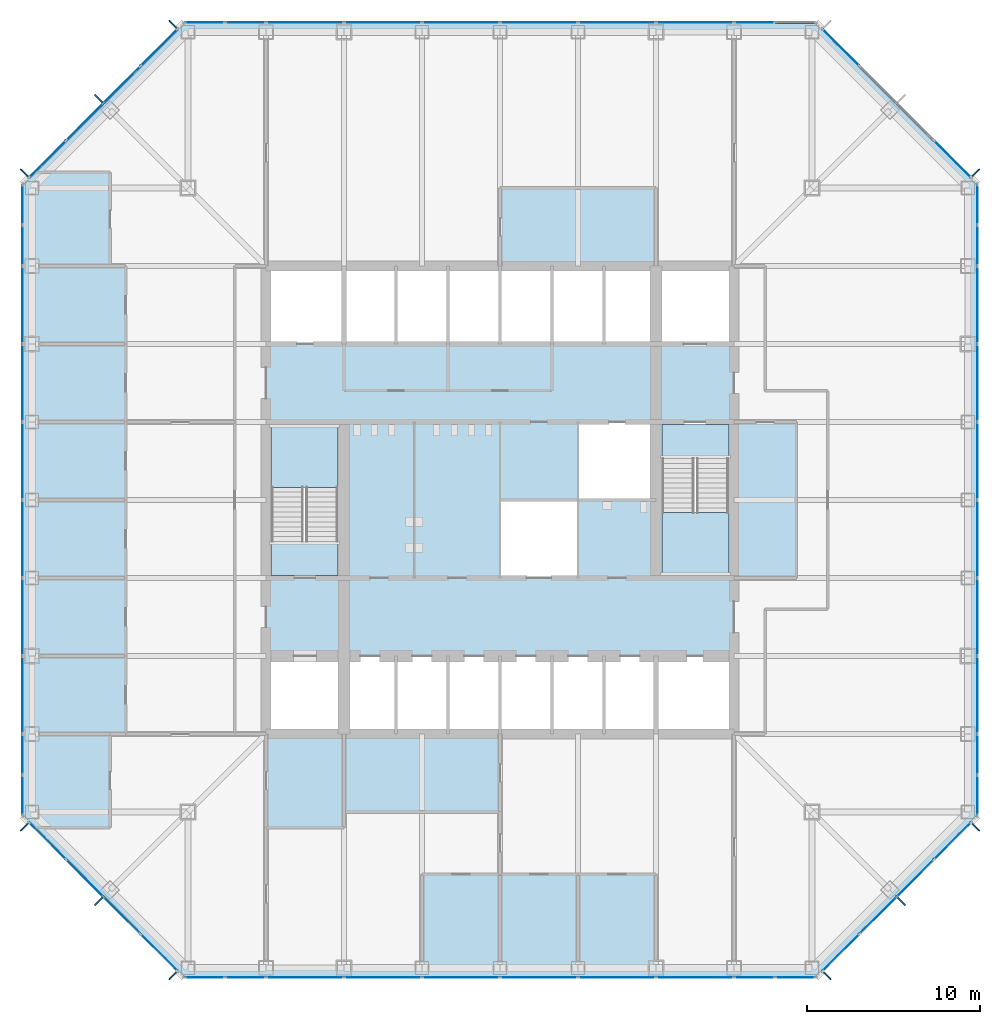
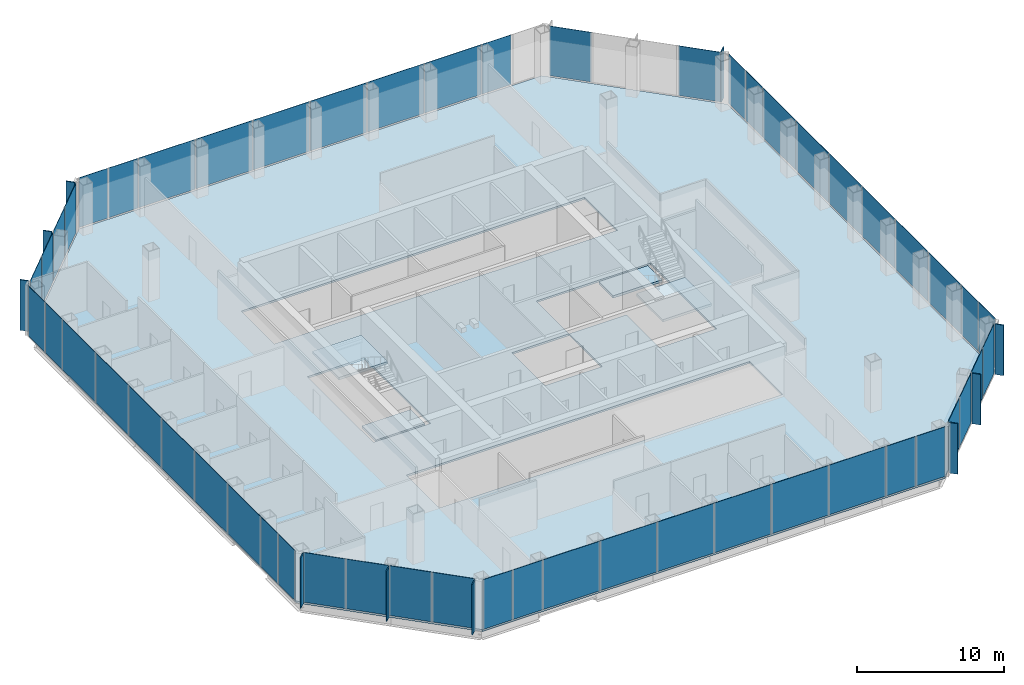
# One storey, part 7 of 13: 63 plates, 5 slabs, 10 elements without a shape of their own.
"""IFC4 building model written with IfcOpenShell, lengths in metres."""

from ifc_helpers import new_model, si_unit, direction, frame, origin, origin_2d, place, context, subcontext, project, spatial, polyline, rectangle, outline, extrude, material, layer, layer_set, type_object, element, aggregate, save


model = new_model("IFC4")

# Units and contexts
model_context = context("Model", 3, precision=1e-05, world=origin(), true_north=direction((0.0, 1.0)))
body_context = subcontext(model_context, "Body", "Model", "MODEL_VIEW")
ifc_project = project(units=[si_unit("LENGTHUNIT", "METRE"), si_unit("AREAUNIT", "SQUARE_METRE"), si_unit("VOLUMEUNIT", "CUBIC_METRE"), si_unit("PLANEANGLEUNIT", "RADIAN"), si_unit("MASSUNIT", "GRAM", prefix="KILO")], contexts=[model_context])

# Site, building, storey
site_placement = place(None, origin())
site = spatial("IfcSite", under=ifc_project, at=site_placement, CompositionType="ELEMENT")
building_placement = place(site_placement, origin())
building = spatial("IfcBuilding", under=site, at=building_placement, Name="Corais Broadcast Tower", CompositionType="ELEMENT")
storey_placement = place(building_placement, frame((0.0, 0.0, 87.800048828125)))
storey = spatial("IfcBuildingStorey", under=building, at=storey_placement, Name="L19", CompositionType="ELEMENT", Elevation=87.800048828125)

# Slab
ifc_material_1 = material(Name="Concrete C30/37", Category="concrete")
ifc_layer_1 = layer(ifc_material_1, 0.159912109375)
ifc_layer_set_1 = layer_set([ifc_layer_1], Name="Concrete C30/37")
slab_type_1 = type_object("IfcSlabType", Name="Composite floor slab 160", PredefinedType="FLOOR", material=ifc_layer_set_1)
slab_1_placement = place(storey_placement, frame((0.0, 0.0, -0.16015625)))
element("IfcSlab", 1, at=slab_1_placement, inside=storey, type_object=slab_type_1, Name="S160 floor slab L19", PredefinedType="FLOOR", context=body_context, shape_type="SweptSolid", body=[
    extrude(outline(polyline([(8.80126953125, -0.47998046875), (-0.47998046875, 8.80126953125), (-0.47998046875, 45.19873046875), (8.80126953125, 54.47998046875), (45.19873046875, 54.47998046875), (54.47998046875, 45.19873046875), (54.47998046875, 8.80126953125), (45.19873046875, -0.47998046875), (8.80126953125, -0.47998046875)]), holes=[polyline([(13.5, 18.0), (40.5, 18.0), (40.5, 13.5), (13.5, 13.5), (13.5, 18.0)]), polyline([(13.5, 22.5), (13.5, 31.5), (18.0, 31.5), (18.0, 22.5), (13.5, 22.5)]), polyline([(13.5, 40.5), (40.5, 40.5), (40.5, 36.0), (13.5, 36.0), (13.5, 40.5)]), polyline([(27.0, 22.5), (27.0, 27.0), (31.4951171875, 27.0), (31.4951171875, 27.0048828125), (31.5, 27.0048828125), (31.5, 31.5), (40.5, 31.5), (40.5, 22.5), (36.0, 22.5), (36.0, 27.0), (31.5048828125, 27.0), (31.5048828125, 26.9951171875), (31.5, 26.9951171875), (31.5, 22.5), (27.0, 22.5)])]), origin(), (0.0, 0.0, 1.0), 0.16015625),
])

# Curtain wall, plates
ifc_material_2 = material(Name="Aluminium and glass", Category="aluminium")
curtain_wall_type = type_object("IfcCurtainWallType", Name="Unitised fritted curtain wall CW1", PredefinedType="NOTDEFINED", material=ifc_material_2)
curtain_wall_1_placement = place(storey_placement, origin())
curtain_wall_1 = element("IfcCurtainWall", 2, at=curtain_wall_1_placement, inside=storey, type_object=curtain_wall_type, Name="CW1 curtain wall L19 1", PredefinedType="NOTDEFINED")
ifc_material_3 = material(Name="Ceramic-fritted laminated glass", Category="glass")
ifc_layer_2 = layer(ifc_material_3, 0.030029296875)
ifc_layer_set_2 = layer_set([ifc_layer_2], Name="Ceramic-fritted laminated glass")
plate_type_1 = type_object("IfcPlateType", Name="Fritted glass panel CW1", PredefinedType="CURTAIN_PANEL", material=ifc_layer_set_2)
plate_1_placement = place(storey_placement, frame((7.330322265625, 0.891845703125, 0.06494140625), z_axis=(0.0, 0.0, 1.0), x_axis=(-0.707106781187, 0.707106781187, 0.0)))
plate_1 = element("IfcPlate", 3, at=plate_1_placement, type_object=plate_type_1, Name="CW1 panel 1", PredefinedType="CURTAIN_PANEL", context=body_context, shape_type="SweptSolid", body=[
    extrude(rectangle(XDim=2.9482421875, YDim=0.030029296875, at=origin_2d()), origin(), (0.0, 0.0, 1.0), 4.135009765625),
])
plate_2_placement = place(storey_placement, frame((3.0341796875, 5.18798828125, 0.06494140625), z_axis=(0.0, 0.0, 1.0), x_axis=(-0.707106781187, 0.707106781187, 0.0)))
plate_2 = element("IfcPlate", 4, at=plate_2_placement, type_object=plate_type_1, Name="CW1 panel 3", PredefinedType="CURTAIN_PANEL", context=body_context, shape_type="SweptSolid", body=[
    extrude(rectangle(XDim=2.98095703125, YDim=0.030029296875, at=origin_2d()), origin(), (0.0, 0.0, 1.0), 4.135009765625),
])

curtain_wall_2_placement = place(storey_placement, origin())
curtain_wall_2 = element("IfcCurtainWall", 5, at=curtain_wall_2_placement, inside=storey, type_object=curtain_wall_type, Name="CW1 curtain wall L19 2", PredefinedType="NOTDEFINED")
plate_3_placement = place(storey_placement, frame((-0.550048828125, 9.970458984375, 0.06494140625), z_axis=(0.0, 0.0, 1.0), x_axis=(0.0, 1.0, 0.0)))
plate_3 = element("IfcPlate", 6, at=plate_3_placement, type_object=plate_type_1, Name="CW1 panel 1", PredefinedType="CURTAIN_PANEL", context=body_context, shape_type="SweptSolid", body=[
    extrude(rectangle(XDim=2.266357421875, YDim=0.030029296875, at=origin_2d()), origin(), (0.0, 0.0, 1.0), 4.135009765625),
])
plate_4_placement = place(storey_placement, frame((-0.550048828125, 15.75, 0.06494140625), z_axis=(0.0, 0.0, 1.0), x_axis=(0.0, 1.0, 0.0)))
plate_4 = element("IfcPlate", 7, at=plate_4_placement, type_object=plate_type_1, Name="CW1 panel 3", PredefinedType="CURTAIN_PANEL", context=body_context, shape_type="SweptSolid", body=[
    extrude(rectangle(XDim=4.43505859375, YDim=0.030029296875, at=origin_2d()), origin(), (0.0, 0.0, 1.0), 4.135009765625),
])
plate_5_placement = place(storey_placement, frame((-0.550048828125, 24.75, 0.06494140625), z_axis=(0.0, 0.0, 1.0), x_axis=(0.0, 1.0, 0.0)))
plate_5 = element("IfcPlate", 8, at=plate_5_placement, type_object=plate_type_1, Name="CW1 panel 5", PredefinedType="CURTAIN_PANEL", context=body_context, shape_type="SweptSolid", body=[
    extrude(rectangle(XDim=4.43505859375, YDim=0.030029296875, at=origin_2d()), origin(), (0.0, 0.0, 1.0), 4.135009765625),
])
plate_6_placement = place(storey_placement, frame((-0.550048828125, 33.75, 0.06494140625), z_axis=(0.0, 0.0, 1.0), x_axis=(0.0, 1.0, 0.0)))
plate_6 = element("IfcPlate", 9, at=plate_6_placement, type_object=plate_type_1, Name="CW1 panel 7", PredefinedType="CURTAIN_PANEL", context=body_context, shape_type="SweptSolid", body=[
    extrude(rectangle(XDim=4.43505859375, YDim=0.030029296875, at=origin_2d()), origin(), (0.0, 0.0, 1.0), 4.135009765625),
])
plate_7_placement = place(storey_placement, frame((-0.550048828125, 41.681884765625, 0.06494140625), z_axis=(0.0, 0.0, 1.0), x_axis=(0.0, 1.0, 0.0)))
plate_7 = element("IfcPlate", 10, at=plate_7_placement, type_object=plate_type_1, Name="CW1 panel 9", PredefinedType="CURTAIN_PANEL", context=body_context, shape_type="SweptSolid", body=[
    extrude(rectangle(XDim=2.298828125, YDim=0.030029296875, at=origin_2d()), origin(), (0.0, 0.0, 1.0), 4.135009765625),
])

curtain_wall_3_placement = place(storey_placement, origin())
curtain_wall_3 = element("IfcCurtainWall", 11, at=curtain_wall_3_placement, inside=storey, type_object=curtain_wall_type, Name="CW1 curtain wall L19 3", PredefinedType="NOTDEFINED")
plate_8_placement = place(storey_placement, frame((0.891845703125, 46.669677734375, 0.06494140625), z_axis=(0.0, 0.0, 1.0), x_axis=(0.707106781187, 0.707106781187, 0.0)))
plate_8 = element("IfcPlate", 12, at=plate_8_placement, type_object=plate_type_1, Name="CW1 panel 1", PredefinedType="CURTAIN_PANEL", context=body_context, shape_type="SweptSolid", body=[
    extrude(rectangle(XDim=2.9482421875, YDim=0.030029296875, at=origin_2d()), origin(), (0.0, 0.0, 1.0), 4.135009765625),
])
plate_9_placement = place(storey_placement, frame((5.18798828125, 50.9658203125, 0.06494140625), z_axis=(0.0, 0.0, 1.0), x_axis=(0.707106781187, 0.707106781187, 0.0)))
plate_9 = element("IfcPlate", 13, at=plate_9_placement, type_object=plate_type_1, Name="CW1 panel 3", PredefinedType="CURTAIN_PANEL", context=body_context, shape_type="SweptSolid", body=[
    extrude(rectangle(XDim=2.98095703125, YDim=0.030029296875, at=origin_2d()), origin(), (0.0, 0.0, 1.0), 4.135009765625),
])

curtain_wall_4_placement = place(storey_placement, origin())
curtain_wall_4 = element("IfcCurtainWall", 14, at=curtain_wall_4_placement, inside=storey, type_object=curtain_wall_type, Name="CW1 curtain wall L19 4", PredefinedType="NOTDEFINED")
plate_10_placement = place(storey_placement, frame((9.970458984375, 54.550048828125, 0.06494140625), z_axis=(0.0, 0.0, 1.0), x_axis=(1.0, 0.0, 0.0)))
plate_10 = element("IfcPlate", 15, at=plate_10_placement, type_object=plate_type_1, Name="CW1 panel 1", PredefinedType="CURTAIN_PANEL", context=body_context, shape_type="SweptSolid", body=[
    extrude(rectangle(XDim=2.266357421875, YDim=0.030029296875, at=origin_2d()), origin(), (0.0, 0.0, 1.0), 4.135009765625),
])
plate_11_placement = place(storey_placement, frame((15.75, 54.550048828125, 0.06494140625), z_axis=(0.0, 0.0, 1.0), x_axis=(1.0, 0.0, 0.0)))
plate_11 = element("IfcPlate", 16, at=plate_11_placement, type_object=plate_type_1, Name="CW1 panel 3", PredefinedType="CURTAIN_PANEL", context=body_context, shape_type="SweptSolid", body=[
    extrude(rectangle(XDim=4.43505859375, YDim=0.030029296875, at=origin_2d()), origin(), (0.0, 0.0, 1.0), 4.135009765625),
])
plate_12_placement = place(storey_placement, frame((24.75, 54.550048828125, 0.06494140625), z_axis=(0.0, 0.0, 1.0), x_axis=(1.0, 0.0, 0.0)))
plate_12 = element("IfcPlate", 17, at=plate_12_placement, type_object=plate_type_1, Name="CW1 panel 5", PredefinedType="CURTAIN_PANEL", context=body_context, shape_type="SweptSolid", body=[
    extrude(rectangle(XDim=4.43505859375, YDim=0.030029296875, at=origin_2d()), origin(), (0.0, 0.0, 1.0), 4.135009765625),
])
plate_13_placement = place(storey_placement, frame((33.75, 54.550048828125, 0.06494140625), z_axis=(0.0, 0.0, 1.0), x_axis=(1.0, 0.0, 0.0)))
plate_13 = element("IfcPlate", 18, at=plate_13_placement, type_object=plate_type_1, Name="CW1 panel 7", PredefinedType="CURTAIN_PANEL", context=body_context, shape_type="SweptSolid", body=[
    extrude(rectangle(XDim=4.43505859375, YDim=0.030029296875, at=origin_2d()), origin(), (0.0, 0.0, 1.0), 4.135009765625),
])
plate_14_placement = place(storey_placement, frame((41.681884765625, 54.550048828125, 0.06494140625), z_axis=(0.0, 0.0, 1.0), x_axis=(1.0, 0.0, 0.0)))
plate_14 = element("IfcPlate", 19, at=plate_14_placement, type_object=plate_type_1, Name="CW1 panel 9", PredefinedType="CURTAIN_PANEL", context=body_context, shape_type="SweptSolid", body=[
    extrude(rectangle(XDim=2.298828125, YDim=0.030029296875, at=origin_2d()), origin(), (0.0, 0.0, 1.0), 4.135009765625),
])

# Curtain wall, plate
curtain_wall_5_placement = place(storey_placement, origin())
curtain_wall_5 = element("IfcCurtainWall", 20, at=curtain_wall_5_placement, inside=storey, type_object=curtain_wall_type, Name="CW1 curtain wall L19 5", PredefinedType="NOTDEFINED")
plate_15_placement = place(storey_placement, frame((46.669677734375, 53.108154296875, 0.06494140625), z_axis=(0.0, 0.0, 1.0), x_axis=(0.707106781187, -0.707106781187, 0.0)))
plate_15 = element("IfcPlate", 21, at=plate_15_placement, type_object=plate_type_1, Name="CW1 panel 1", PredefinedType="CURTAIN_PANEL", context=body_context, shape_type="SweptSolid", body=[
    extrude(rectangle(XDim=2.9482421875, YDim=0.030029296875, at=origin_2d()), origin(), (0.0, 0.0, 1.0), 4.135009765625),
])

# Curtain wall, plates
curtain_wall_6_placement = place(storey_placement, origin())
curtain_wall_6 = element("IfcCurtainWall", 22, at=curtain_wall_6_placement, inside=storey, type_object=curtain_wall_type, Name="CW1 curtain wall L19 6", PredefinedType="NOTDEFINED")
plate_16_placement = place(storey_placement, frame((54.550048828125, 44.029541015625, 0.06494140625), z_axis=(0.0, 0.0, 1.0), x_axis=(0.0, -1.0, 0.0)))
plate_16 = element("IfcPlate", 23, at=plate_16_placement, type_object=plate_type_1, Name="CW1 panel 1", PredefinedType="CURTAIN_PANEL", context=body_context, shape_type="SweptSolid", body=[
    extrude(rectangle(XDim=2.266357421875, YDim=0.030029296875, at=origin_2d()), origin(), (0.0, 0.0, 1.0), 4.135009765625),
])
plate_17_placement = place(storey_placement, frame((54.550048828125, 38.25, 0.06494140625), z_axis=(0.0, 0.0, 1.0), x_axis=(0.0, -1.0, 0.0)))
plate_17 = element("IfcPlate", 24, at=plate_17_placement, type_object=plate_type_1, Name="CW1 panel 3", PredefinedType="CURTAIN_PANEL", context=body_context, shape_type="SweptSolid", body=[
    extrude(rectangle(XDim=4.43505859375, YDim=0.030029296875, at=origin_2d()), origin(), (0.0, 0.0, 1.0), 4.135009765625),
])
plate_18_placement = place(storey_placement, frame((54.550048828125, 29.25, 0.06494140625), z_axis=(0.0, 0.0, 1.0), x_axis=(0.0, -1.0, 0.0)))
plate_18 = element("IfcPlate", 25, at=plate_18_placement, type_object=plate_type_1, Name="CW1 panel 5", PredefinedType="CURTAIN_PANEL", context=body_context, shape_type="SweptSolid", body=[
    extrude(rectangle(XDim=4.43505859375, YDim=0.030029296875, at=origin_2d()), origin(), (0.0, 0.0, 1.0), 4.135009765625),
])
plate_19_placement = place(storey_placement, frame((54.550048828125, 20.25, 0.06494140625), z_axis=(0.0, 0.0, 1.0), x_axis=(0.0, -1.0, 0.0)))
plate_19 = element("IfcPlate", 26, at=plate_19_placement, type_object=plate_type_1, Name="CW1 panel 7", PredefinedType="CURTAIN_PANEL", context=body_context, shape_type="SweptSolid", body=[
    extrude(rectangle(XDim=4.43505859375, YDim=0.030029296875, at=origin_2d()), origin(), (0.0, 0.0, 1.0), 4.135009765625),
])
plate_20_placement = place(storey_placement, frame((54.550048828125, 12.318115234375, 0.06494140625), z_axis=(0.0, 0.0, 1.0), x_axis=(0.0, -1.0, 0.0)))
plate_20 = element("IfcPlate", 27, at=plate_20_placement, type_object=plate_type_1, Name="CW1 panel 9", PredefinedType="CURTAIN_PANEL", context=body_context, shape_type="SweptSolid", body=[
    extrude(rectangle(XDim=2.298828125, YDim=0.030029296875, at=origin_2d()), origin(), (0.0, 0.0, 1.0), 4.135009765625),
])

curtain_wall_7_placement = place(storey_placement, origin())
curtain_wall_7 = element("IfcCurtainWall", 28, at=curtain_wall_7_placement, inside=storey, type_object=curtain_wall_type, Name="CW1 curtain wall L19 7", PredefinedType="NOTDEFINED")
plate_21_placement = place(storey_placement, frame((53.108154296875, 7.330322265625, 0.06494140625), z_axis=(0.0, 0.0, 1.0), x_axis=(-0.707106781187, -0.707106781187, 0.0)))
plate_21 = element("IfcPlate", 29, at=plate_21_placement, type_object=plate_type_1, Name="CW1 panel 1", PredefinedType="CURTAIN_PANEL", context=body_context, shape_type="SweptSolid", body=[
    extrude(rectangle(XDim=2.9482421875, YDim=0.030029296875, at=origin_2d()), origin(), (0.0, 0.0, 1.0), 4.135009765625),
])
plate_22_placement = place(storey_placement, frame((48.81201171875, 3.0341796875, 0.06494140625), z_axis=(0.0, 0.0, 1.0), x_axis=(-0.707106781187, -0.707106781187, 0.0)))
plate_22 = element("IfcPlate", 30, at=plate_22_placement, type_object=plate_type_1, Name="CW1 panel 3", PredefinedType="CURTAIN_PANEL", context=body_context, shape_type="SweptSolid", body=[
    extrude(rectangle(XDim=2.98095703125, YDim=0.030029296875, at=origin_2d()), origin(), (0.0, 0.0, 1.0), 4.135009765625),
])

curtain_wall_8_placement = place(storey_placement, origin())
curtain_wall_8 = element("IfcCurtainWall", 31, at=curtain_wall_8_placement, inside=storey, type_object=curtain_wall_type, Name="CW1 curtain wall L19 8", PredefinedType="NOTDEFINED")
plate_23_placement = place(storey_placement, frame((44.029541015625, -0.550048828125, 0.06494140625), z_axis=(0.0, 0.0, 1.0), x_axis=(-1.0, 0.0, 0.0)))
plate_23 = element("IfcPlate", 32, at=plate_23_placement, type_object=plate_type_1, Name="CW1 panel 1", PredefinedType="CURTAIN_PANEL", context=body_context, shape_type="SweptSolid", body=[
    extrude(rectangle(XDim=2.266357421875, YDim=0.030029296875, at=origin_2d()), origin(), (0.0, 0.0, 1.0), 4.135009765625),
])
plate_24_placement = place(storey_placement, frame((38.25, -0.550048828125, 0.06494140625), z_axis=(0.0, 0.0, 1.0), x_axis=(-1.0, 0.0, 0.0)))
plate_24 = element("IfcPlate", 33, at=plate_24_placement, type_object=plate_type_1, Name="CW1 panel 3", PredefinedType="CURTAIN_PANEL", context=body_context, shape_type="SweptSolid", body=[
    extrude(rectangle(XDim=4.43505859375, YDim=0.030029296875, at=origin_2d()), origin(), (0.0, 0.0, 1.0), 4.135009765625),
])
plate_25_placement = place(storey_placement, frame((29.25, -0.550048828125, 0.06494140625), z_axis=(0.0, 0.0, 1.0), x_axis=(-1.0, 0.0, 0.0)))
plate_25 = element("IfcPlate", 34, at=plate_25_placement, type_object=plate_type_1, Name="CW1 panel 5", PredefinedType="CURTAIN_PANEL", context=body_context, shape_type="SweptSolid", body=[
    extrude(rectangle(XDim=4.43505859375, YDim=0.030029296875, at=origin_2d()), origin(), (0.0, 0.0, 1.0), 4.135009765625),
])
plate_26_placement = place(storey_placement, frame((20.25, -0.550048828125, 0.06494140625), z_axis=(0.0, 0.0, 1.0), x_axis=(-1.0, 0.0, 0.0)))
plate_26 = element("IfcPlate", 35, at=plate_26_placement, type_object=plate_type_1, Name="CW1 panel 7", PredefinedType="CURTAIN_PANEL", context=body_context, shape_type="SweptSolid", body=[
    extrude(rectangle(XDim=4.43505859375, YDim=0.030029296875, at=origin_2d()), origin(), (0.0, 0.0, 1.0), 4.135009765625),
])
plate_27_placement = place(storey_placement, frame((12.318115234375, -0.550048828125, 0.06494140625), z_axis=(0.0, 0.0, 1.0), x_axis=(-1.0, 0.0, 0.0)))
plate_27 = element("IfcPlate", 36, at=plate_27_placement, type_object=plate_type_1, Name="CW1 panel 9", PredefinedType="CURTAIN_PANEL", context=body_context, shape_type="SweptSolid", body=[
    extrude(rectangle(XDim=2.298828125, YDim=0.030029296875, at=origin_2d()), origin(), (0.0, 0.0, 1.0), 4.135009765625),
])

# Plate
ifc_material_4 = material(Name="Clear laminated glass", Category="glass")
ifc_layer_3 = layer(ifc_material_4, 0.033935546875)
ifc_layer_set_3 = layer_set([ifc_layer_3], Name="Clear laminated glass")
plate_type_2 = type_object("IfcPlateType", Name="Operable glass panel CW1", PredefinedType="CURTAIN_PANEL", material=ifc_layer_set_3)
plate_28_placement = place(storey_placement, frame((5.18798828125, 3.0341796875, 0.06494140625), z_axis=(0.0, 0.0, 1.0), x_axis=(-0.707106781187, 0.707106781187, 0.0)))
plate_28 = element("IfcPlate", 37, at=plate_28_placement, type_object=plate_type_2, Name="CW1 operable panel 2", PredefinedType="CURTAIN_PANEL", context=body_context, shape_type="SweptSolid", body=[
    extrude(rectangle(XDim=2.98095703125, YDim=0.033935546875, at=origin_2d()), origin(), (0.0, 0.0, 1.0), 4.135009765625),
])

plate_29_placement = place(storey_placement, frame((0.89208984375, 7.330322265625, 0.06494140625), z_axis=(0.0, 0.0, 1.0), x_axis=(-0.707106781187, 0.707106781187, 0.0)))
plate_29 = element("IfcPlate", 38, at=plate_29_placement, type_object=plate_type_2, Name="CW1 operable panel 4", PredefinedType="CURTAIN_PANEL", context=body_context, shape_type="SweptSolid", body=[
    extrude(rectangle(XDim=2.948486328125, YDim=0.033935546875, at=origin_2d()), origin(), (0.0, 0.0, 1.0), 4.135009765625),
])

aggregate(curtain_wall_1, [plate_1, plate_28, plate_2, plate_29])

plate_30_placement = place(storey_placement, frame((-0.550048828125, 12.318115234375, 0.06494140625), z_axis=(0.0, 0.0, 1.0), x_axis=(0.0, 1.0, 0.0)))
plate_30 = element("IfcPlate", 39, at=plate_30_placement, type_object=plate_type_2, Name="CW1 operable panel 2", PredefinedType="CURTAIN_PANEL", context=body_context, shape_type="SweptSolid", body=[
    extrude(rectangle(XDim=2.298828125, YDim=0.033935546875, at=origin_2d()), origin(), (0.0, 0.0, 1.0), 4.135009765625),
])

plate_31_placement = place(storey_placement, frame((-0.550048828125, 20.25, 0.06494140625), z_axis=(0.0, 0.0, 1.0), x_axis=(0.0, 1.0, 0.0)))
plate_31 = element("IfcPlate", 40, at=plate_31_placement, type_object=plate_type_2, Name="CW1 operable panel 4", PredefinedType="CURTAIN_PANEL", context=body_context, shape_type="SweptSolid", body=[
    extrude(rectangle(XDim=4.43505859375, YDim=0.033935546875, at=origin_2d()), origin(), (0.0, 0.0, 1.0), 4.135009765625),
])

plate_32_placement = place(storey_placement, frame((-0.550048828125, 29.25, 0.06494140625), z_axis=(0.0, 0.0, 1.0), x_axis=(0.0, 1.0, 0.0)))
plate_32 = element("IfcPlate", 41, at=plate_32_placement, type_object=plate_type_2, Name="CW1 operable panel 6", PredefinedType="CURTAIN_PANEL", context=body_context, shape_type="SweptSolid", body=[
    extrude(rectangle(XDim=4.43505859375, YDim=0.033935546875, at=origin_2d()), origin(), (0.0, 0.0, 1.0), 4.135009765625),
])

plate_33_placement = place(storey_placement, frame((-0.550048828125, 38.25, 0.06494140625), z_axis=(0.0, 0.0, 1.0), x_axis=(0.0, 1.0, 0.0)))
plate_33 = element("IfcPlate", 42, at=plate_33_placement, type_object=plate_type_2, Name="CW1 operable panel 8", PredefinedType="CURTAIN_PANEL", context=body_context, shape_type="SweptSolid", body=[
    extrude(rectangle(XDim=4.43505859375, YDim=0.033935546875, at=origin_2d()), origin(), (0.0, 0.0, 1.0), 4.135009765625),
])

plate_34_placement = place(storey_placement, frame((-0.550048828125, 44.029541015625, 0.06494140625), z_axis=(0.0, 0.0, 1.0), x_axis=(0.0, 1.0, 0.0)))
plate_34 = element("IfcPlate", 43, at=plate_34_placement, type_object=plate_type_2, Name="CW1 operable panel 10", PredefinedType="CURTAIN_PANEL", context=body_context, shape_type="SweptSolid", body=[
    extrude(rectangle(XDim=2.266357421875, YDim=0.033935546875, at=origin_2d()), origin(), (0.0, 0.0, 1.0), 4.135009765625),
])

aggregate(curtain_wall_2, [plate_3, plate_30, plate_4, plate_31, plate_5, plate_32, plate_6, plate_33, plate_7, plate_34])

plate_35_placement = place(storey_placement, frame((3.0341796875, 48.81201171875, 0.06494140625), z_axis=(0.0, 0.0, 1.0), x_axis=(0.707106781187, 0.707106781187, 0.0)))
plate_35 = element("IfcPlate", 44, at=plate_35_placement, type_object=plate_type_2, Name="CW1 operable panel 2", PredefinedType="CURTAIN_PANEL", context=body_context, shape_type="SweptSolid", body=[
    extrude(rectangle(XDim=2.98095703125, YDim=0.033935546875, at=origin_2d()), origin(), (0.0, 0.0, 1.0), 4.135009765625),
])

plate_36_placement = place(storey_placement, frame((7.330322265625, 53.10791015625, 0.06494140625), z_axis=(0.0, 0.0, 1.0), x_axis=(0.707106781187, 0.707106781187, 0.0)))
plate_36 = element("IfcPlate", 45, at=plate_36_placement, type_object=plate_type_2, Name="CW1 operable panel 4", PredefinedType="CURTAIN_PANEL", context=body_context, shape_type="SweptSolid", body=[
    extrude(rectangle(XDim=2.948486328125, YDim=0.033935546875, at=origin_2d()), origin(), (0.0, 0.0, 1.0), 4.135009765625),
])

aggregate(curtain_wall_3, [plate_8, plate_35, plate_9, plate_36])

plate_37_placement = place(storey_placement, frame((12.318115234375, 54.550048828125, 0.06494140625), z_axis=(0.0, 0.0, 1.0), x_axis=(1.0, 0.0, 0.0)))
plate_37 = element("IfcPlate", 46, at=plate_37_placement, type_object=plate_type_2, Name="CW1 operable panel 2", PredefinedType="CURTAIN_PANEL", context=body_context, shape_type="SweptSolid", body=[
    extrude(rectangle(XDim=2.298828125, YDim=0.033935546875, at=origin_2d()), origin(), (0.0, 0.0, 1.0), 4.135009765625),
])

plate_38_placement = place(storey_placement, frame((20.25, 54.550048828125, 0.06494140625), z_axis=(0.0, 0.0, 1.0), x_axis=(1.0, 0.0, 0.0)))
plate_38 = element("IfcPlate", 47, at=plate_38_placement, type_object=plate_type_2, Name="CW1 operable panel 4", PredefinedType="CURTAIN_PANEL", context=body_context, shape_type="SweptSolid", body=[
    extrude(rectangle(XDim=4.43505859375, YDim=0.033935546875, at=origin_2d()), origin(), (0.0, 0.0, 1.0), 4.135009765625),
])

plate_39_placement = place(storey_placement, frame((29.25, 54.550048828125, 0.06494140625), z_axis=(0.0, 0.0, 1.0), x_axis=(1.0, 0.0, 0.0)))
plate_39 = element("IfcPlate", 48, at=plate_39_placement, type_object=plate_type_2, Name="CW1 operable panel 6", PredefinedType="CURTAIN_PANEL", context=body_context, shape_type="SweptSolid", body=[
    extrude(rectangle(XDim=4.43505859375, YDim=0.033935546875, at=origin_2d()), origin(), (0.0, 0.0, 1.0), 4.135009765625),
])

plate_40_placement = place(storey_placement, frame((38.25, 54.550048828125, 0.06494140625), z_axis=(0.0, 0.0, 1.0), x_axis=(1.0, 0.0, 0.0)))
plate_40 = element("IfcPlate", 49, at=plate_40_placement, type_object=plate_type_2, Name="CW1 operable panel 8", PredefinedType="CURTAIN_PANEL", context=body_context, shape_type="SweptSolid", body=[
    extrude(rectangle(XDim=4.43505859375, YDim=0.033935546875, at=origin_2d()), origin(), (0.0, 0.0, 1.0), 4.135009765625),
])

aggregate(curtain_wall_4, [plate_10, plate_37, plate_11, plate_38, plate_12, plate_39, plate_13, plate_40, plate_14])

plate_41_placement = place(storey_placement, frame((53.10791015625, 46.669677734375, 0.06494140625), z_axis=(0.0, 0.0, 1.0), x_axis=(0.707106781187, -0.707106781187, 0.0)))
plate_41 = element("IfcPlate", 50, at=plate_41_placement, type_object=plate_type_2, Name="CW1 operable panel 4", PredefinedType="CURTAIN_PANEL", context=body_context, shape_type="SweptSolid", body=[
    extrude(rectangle(XDim=2.948486328125, YDim=0.033935546875, at=origin_2d()), origin(), (0.0, 0.0, 1.0), 4.135009765625),
])

aggregate(curtain_wall_5, [plate_15, plate_41])

plate_42_placement = place(storey_placement, frame((54.550048828125, 41.681884765625, 0.06494140625), z_axis=(0.0, 0.0, 1.0), x_axis=(0.0, -1.0, 0.0)))
plate_42 = element("IfcPlate", 51, at=plate_42_placement, type_object=plate_type_2, Name="CW1 operable panel 2", PredefinedType="CURTAIN_PANEL", context=body_context, shape_type="SweptSolid", body=[
    extrude(rectangle(XDim=2.298828125, YDim=0.033935546875, at=origin_2d()), origin(), (0.0, 0.0, 1.0), 4.135009765625),
])

plate_43_placement = place(storey_placement, frame((54.550048828125, 33.75, 0.06494140625), z_axis=(0.0, 0.0, 1.0), x_axis=(0.0, -1.0, 0.0)))
plate_43 = element("IfcPlate", 52, at=plate_43_placement, type_object=plate_type_2, Name="CW1 operable panel 4", PredefinedType="CURTAIN_PANEL", context=body_context, shape_type="SweptSolid", body=[
    extrude(rectangle(XDim=4.43505859375, YDim=0.033935546875, at=origin_2d()), origin(), (0.0, 0.0, 1.0), 4.135009765625),
])

plate_44_placement = place(storey_placement, frame((54.550048828125, 24.75, 0.06494140625), z_axis=(0.0, 0.0, 1.0), x_axis=(0.0, -1.0, 0.0)))
plate_44 = element("IfcPlate", 53, at=plate_44_placement, type_object=plate_type_2, Name="CW1 operable panel 6", PredefinedType="CURTAIN_PANEL", context=body_context, shape_type="SweptSolid", body=[
    extrude(rectangle(XDim=4.43505859375, YDim=0.033935546875, at=origin_2d()), origin(), (0.0, 0.0, 1.0), 4.135009765625),
])

plate_45_placement = place(storey_placement, frame((54.550048828125, 15.75, 0.06494140625), z_axis=(0.0, 0.0, 1.0), x_axis=(0.0, -1.0, 0.0)))
plate_45 = element("IfcPlate", 54, at=plate_45_placement, type_object=plate_type_2, Name="CW1 operable panel 8", PredefinedType="CURTAIN_PANEL", context=body_context, shape_type="SweptSolid", body=[
    extrude(rectangle(XDim=4.43505859375, YDim=0.033935546875, at=origin_2d()), origin(), (0.0, 0.0, 1.0), 4.135009765625),
])

plate_46_placement = place(storey_placement, frame((54.550048828125, 9.970458984375, 0.06494140625), z_axis=(0.0, 0.0, 1.0), x_axis=(0.0, -1.0, 0.0)))
plate_46 = element("IfcPlate", 55, at=plate_46_placement, type_object=plate_type_2, Name="CW1 operable panel 10", PredefinedType="CURTAIN_PANEL", context=body_context, shape_type="SweptSolid", body=[
    extrude(rectangle(XDim=2.266357421875, YDim=0.033935546875, at=origin_2d()), origin(), (0.0, 0.0, 1.0), 4.135009765625),
])

aggregate(curtain_wall_6, [plate_16, plate_42, plate_17, plate_43, plate_18, plate_44, plate_19, plate_45, plate_20, plate_46])

plate_47_placement = place(storey_placement, frame((50.9658203125, 5.18798828125, 0.06494140625), z_axis=(0.0, 0.0, 1.0), x_axis=(-0.707106781187, -0.707106781187, 0.0)))
plate_47 = element("IfcPlate", 56, at=plate_47_placement, type_object=plate_type_2, Name="CW1 operable panel 2", PredefinedType="CURTAIN_PANEL", context=body_context, shape_type="SweptSolid", body=[
    extrude(rectangle(XDim=2.98095703125, YDim=0.033935546875, at=origin_2d()), origin(), (0.0, 0.0, 1.0), 4.135009765625),
])

plate_48_placement = place(storey_placement, frame((46.669677734375, 0.89208984375, 0.06494140625), z_axis=(0.0, 0.0, 1.0), x_axis=(-0.707106781187, -0.707106781187, 0.0)))
plate_48 = element("IfcPlate", 57, at=plate_48_placement, type_object=plate_type_2, Name="CW1 operable panel 4", PredefinedType="CURTAIN_PANEL", context=body_context, shape_type="SweptSolid", body=[
    extrude(rectangle(XDim=2.948486328125, YDim=0.033935546875, at=origin_2d()), origin(), (0.0, 0.0, 1.0), 4.135009765625),
])

aggregate(curtain_wall_7, [plate_21, plate_47, plate_22, plate_48])

plate_49_placement = place(storey_placement, frame((41.681884765625, -0.550048828125, 0.06494140625), z_axis=(0.0, 0.0, 1.0), x_axis=(-1.0, 0.0, 0.0)))
plate_49 = element("IfcPlate", 58, at=plate_49_placement, type_object=plate_type_2, Name="CW1 operable panel 2", PredefinedType="CURTAIN_PANEL", context=body_context, shape_type="SweptSolid", body=[
    extrude(rectangle(XDim=2.298828125, YDim=0.033935546875, at=origin_2d()), origin(), (0.0, 0.0, 1.0), 4.135009765625),
])

plate_50_placement = place(storey_placement, frame((33.75, -0.550048828125, 0.06494140625), z_axis=(0.0, 0.0, 1.0), x_axis=(-1.0, 0.0, 0.0)))
plate_50 = element("IfcPlate", 59, at=plate_50_placement, type_object=plate_type_2, Name="CW1 operable panel 4", PredefinedType="CURTAIN_PANEL", context=body_context, shape_type="SweptSolid", body=[
    extrude(rectangle(XDim=4.43505859375, YDim=0.033935546875, at=origin_2d()), origin(), (0.0, 0.0, 1.0), 4.135009765625),
])

plate_51_placement = place(storey_placement, frame((24.75, -0.550048828125, 0.06494140625), z_axis=(0.0, 0.0, 1.0), x_axis=(-1.0, 0.0, 0.0)))
plate_51 = element("IfcPlate", 60, at=plate_51_placement, type_object=plate_type_2, Name="CW1 operable panel 6", PredefinedType="CURTAIN_PANEL", context=body_context, shape_type="SweptSolid", body=[
    extrude(rectangle(XDim=4.43505859375, YDim=0.033935546875, at=origin_2d()), origin(), (0.0, 0.0, 1.0), 4.135009765625),
])

plate_52_placement = place(storey_placement, frame((15.75, -0.550048828125, 0.06494140625), z_axis=(0.0, 0.0, 1.0), x_axis=(-1.0, 0.0, 0.0)))
plate_52 = element("IfcPlate", 61, at=plate_52_placement, type_object=plate_type_2, Name="CW1 operable panel 8", PredefinedType="CURTAIN_PANEL", context=body_context, shape_type="SweptSolid", body=[
    extrude(rectangle(XDim=4.43505859375, YDim=0.033935546875, at=origin_2d()), origin(), (0.0, 0.0, 1.0), 4.135009765625),
])

plate_53_placement = place(storey_placement, frame((9.970458984375, -0.550048828125, 0.06494140625), z_axis=(0.0, 0.0, 1.0), x_axis=(-1.0, 0.0, 0.0)))
plate_53 = element("IfcPlate", 62, at=plate_53_placement, type_object=plate_type_2, Name="CW1 operable panel 10", PredefinedType="CURTAIN_PANEL", context=body_context, shape_type="SweptSolid", body=[
    extrude(rectangle(XDim=2.266357421875, YDim=0.033935546875, at=origin_2d()), origin(), (0.0, 0.0, 1.0), 4.135009765625),
])

aggregate(curtain_wall_8, [plate_23, plate_49, plate_24, plate_50, plate_25, plate_51, plate_26, plate_52, plate_27, plate_53])

# Stair, slabs
ifc_material_5 = material(Name="Concrete C30/37", Category="concrete")
stair_type = type_object("IfcStairType", Name="Half-turn stair 4200", PredefinedType="HALF_TURN_STAIR", material=ifc_material_5)
stair_1_placement = place(storey_placement, origin())
stair_1 = element("IfcStair", 63, at=stair_1_placement, inside=storey, type_object=stair_type, Name="Stair A L19", PredefinedType="HALF_TURN_STAIR")
ifc_material_6 = material(Name="Concrete C30/37", Category="concrete")
ifc_layer_4 = layer(ifc_material_6, 0.199951171875)
ifc_layer_set_4 = layer_set([ifc_layer_4], Name="Concrete C30/37")
slab_type_2 = type_object("IfcSlabType", Name="Stair landing 200", PredefinedType="LANDING", material=ifc_layer_set_4)
slab_2_placement = place(storey_placement, frame((0.0, 0.0, -0.199951171875)))
slab_2 = element("IfcSlab", 64, at=slab_2_placement, type_object=slab_type_2, Name="STA landing 1", PredefinedType="LANDING", context=body_context, shape_type="SweptSolid", body=[
    extrude(outline(polyline([(13.800048828125, 22.64990234375), (17.64990234375, 22.64990234375), (17.64990234375, 24.60009765625), (13.800048828125, 24.60009765625), (13.800048828125, 22.64990234375)])), origin(), (0.0, 0.0, 1.0), 0.199951171875),
])
slab_3_placement = place(storey_placement, frame((0.0, 0.0, 1.89990234375)))
slab_3 = element("IfcSlab", 65, at=slab_3_placement, type_object=slab_type_2, Name="STA landing 2", PredefinedType="LANDING", context=body_context, shape_type="SweptSolid", body=[
    extrude(outline(polyline([(13.800048828125, 27.735107421875), (17.64990234375, 27.735107421875), (17.64990234375, 31.35009765625), (13.800048828125, 31.35009765625), (13.800048828125, 27.735107421875)])), origin(), (0.0, 0.0, 1.0), 0.199951171875),
])
aggregate(stair_1, [slab_2, slab_3])

stair_2_placement = place(storey_placement, origin())
stair_2 = element("IfcStair", 66, at=stair_2_placement, inside=storey, type_object=stair_type, Name="Stair B L19", PredefinedType="HALF_TURN_STAIR")
slab_4_placement = place(storey_placement, frame((0.0, 0.0, -0.199951171875)))
slab_4 = element("IfcSlab", 67, at=slab_4_placement, type_object=slab_type_2, Name="STB landing 1", PredefinedType="LANDING", context=body_context, shape_type="SweptSolid", body=[
    extrude(outline(polyline([(36.35009765625, 29.39990234375), (40.199951171875, 29.39990234375), (40.199951171875, 31.35009765625), (36.35009765625, 31.35009765625), (36.35009765625, 29.39990234375)])), origin(), (0.0, 0.0, 1.0), 0.199951171875),
])
slab_5_placement = place(storey_placement, frame((0.0, 0.0, 1.89990234375)))
slab_5 = element("IfcSlab", 68, at=slab_5_placement, type_object=slab_type_2, Name="STB landing 2", PredefinedType="LANDING", context=body_context, shape_type="SweptSolid", body=[
    extrude(outline(polyline([(36.35009765625, 22.64990234375), (40.199951171875, 22.64990234375), (40.199951171875, 26.264892578125), (36.35009765625, 26.264892578125), (36.35009765625, 22.64990234375)])), origin(), (0.0, 0.0, 1.0), 0.199951171875),
])
aggregate(stair_2, [slab_4, slab_5])

# Plates
ifc_material_7 = material(Name="Granite stone cladding", Category="masonry")
ifc_layer_5 = layer(ifc_material_7, 0.080078125)
ifc_layer_set_5 = layer_set([ifc_layer_5], Name="Granite stone cladding")
plate_type_3 = type_object("IfcPlateType", Name="Stone screen fin 80x600", PredefinedType="USERDEFINED", material=ifc_layer_set_5)
for number, where, z_axis, x_axis, name in (
    (69, (8.114990234375, -0.4541015625, 0.0), (0.0, 0.0, 1.0), (-0.707106781187, 0.707106781187, 0.0), "SF1 stone screen fin L19"),
    (70, (3.830322265625, 3.830322265625, 0.0), (0.0, 0.0, 1.0), (-0.707106781187, 0.707106781187, 0.0), "SF1 stone screen fin L19"),
    (71, (-0.4541015625, 8.114990234375, 0.0), (0.0, 0.0, 1.0), (-0.707106781187, 0.707106781187, 0.0), "SF1 stone screen fin L19"),
    (72, (-0.4541015625, 45.885009765625, 0.0), (0.0, 0.0, 1.0), (0.707106781187, 0.707106781187, 0.0), "SF1 stone screen fin L19"),
    (73, (3.830322265625, 50.169677734375, 0.0), (0.0, 0.0, 1.0), (0.707106781187, 0.707106781187, 0.0), "SF1 stone screen fin L19"),
    (74, (8.114990234375, 54.4541015625, 0.0), (0.0, 0.0, 1.0), (0.707106781187, 0.707106781187, 0.0), "SF1 stone screen fin L19"),
    (75, (54.4541015625, 45.885009765625, 0.0), (0.0, 0.0, 1.0), (0.707106781187, -0.707106781187, 0.0), "SF1 stone screen fin L19"),
    (76, (54.4541015625, 8.114990234375, 0.0), (0.0, 0.0, 1.0), (-0.707106781187, -0.707106781187, 0.0), "SF1 stone screen fin L19"),
    (77, (50.169677734375, 3.830322265625, 0.0), (0.0, 0.0, 1.0), (-0.707106781187, -0.707106781187, 0.0), "SF1 stone screen fin L19"),
    (78, (45.885009765625, -0.4541015625, 0.0), (0.0, 0.0, 1.0), (-0.707106781187, -0.707106781187, 0.0), "SF1 stone screen fin L19"),
):
    element("IfcPlate", number, at=place(storey_placement, frame(where, z_axis=z_axis, x_axis=x_axis)), inside=storey, type_object=plate_type_3, Name=name, ObjectType="STONE SCREEN FIN", PredefinedType="USERDEFINED", context=body_context, shape_type="SweptSolid", body=[
        extrude(rectangle(XDim=0.080078125, YDim=0.60009765625, at=origin_2d()), origin(), (0.0, 0.0, 1.0), 4.199951171875),
    ])

save(model, "model.ifc")
